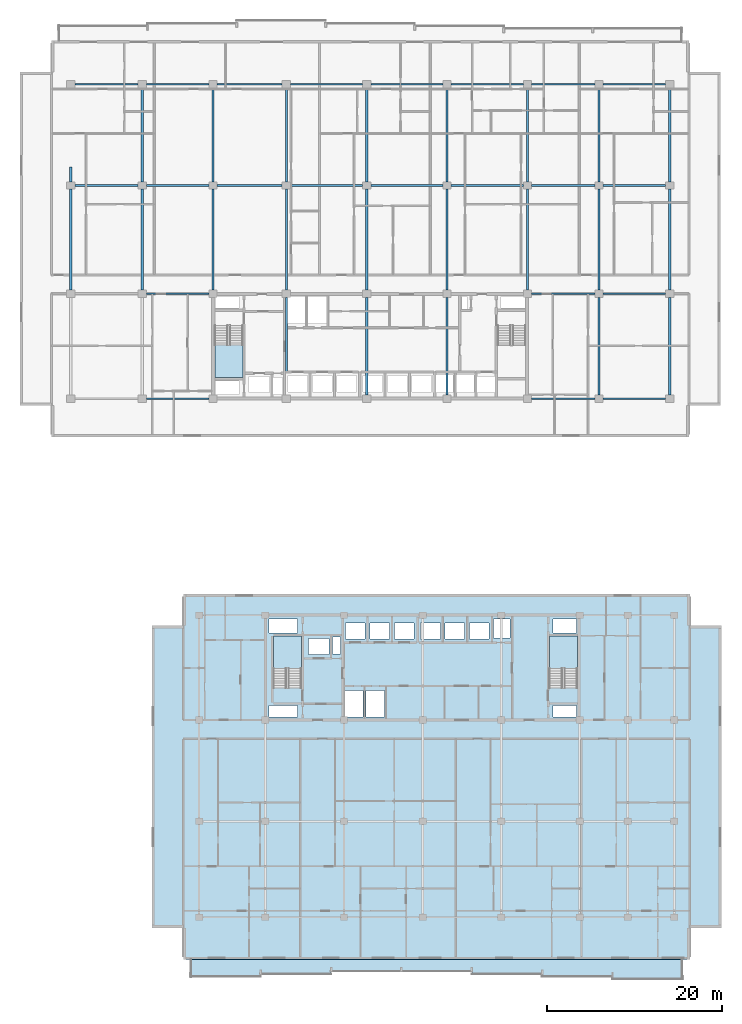
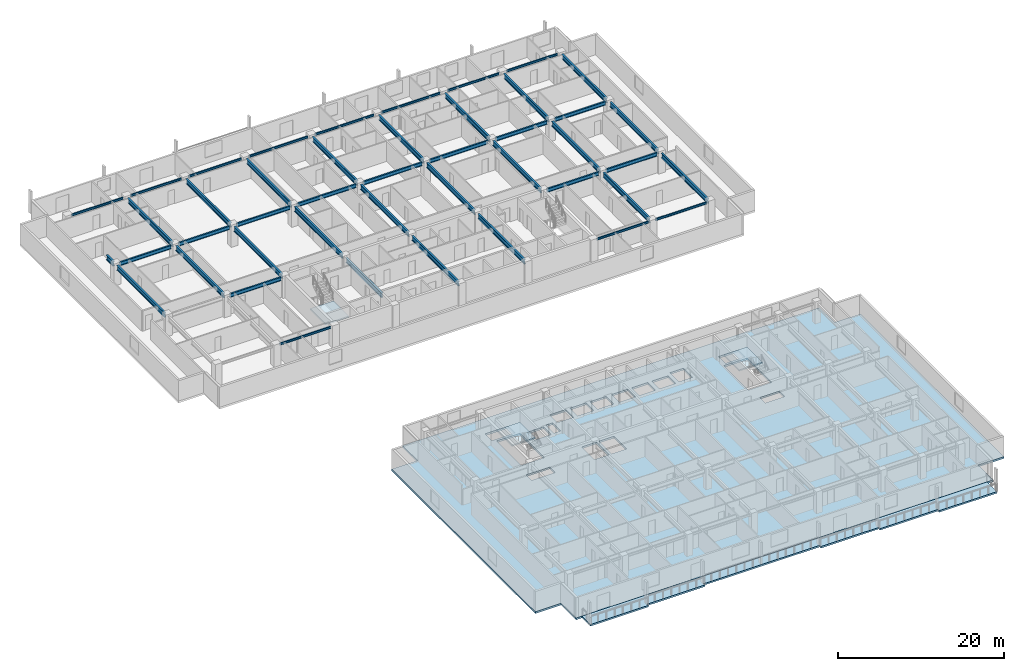
# One storey, part 2 of 22: 45 beams, 5 slabs, 3 elements without a shape of their own.
"""IFC4 building model written with IfcOpenShell, lengths in metres."""

import ifcopenshell
import ifcopenshell.guid

model = None  # the IFC model being written
_history = None  # IfcOwnerHistory: only IFC2X3 demands one
_inside = {}  # id of a spatial element -> (the spatial element, [elements in it])
_under = {}  # id of a project, library or spatial element -> (it, [spatial elements below it])
_declared = {}  # id of a project -> (the project, [libraries it declares])
_typed = {}  # id of a type object -> (the type object, [elements of that type])
_made_of = {}  # id of a material, layer set ... -> (it, [elements and type objects made of it])


def new_model(schema):
    """Start an empty IFC model of exactly this schema.

    Asked for "IFC4X3", IfcOpenShell would pick the latest addendum, in which some entities
    have other attributes; the version numbers below select the first issue.
    IFC2X3 requires an IfcOwnerHistory on every rooted entity: one is made here for all.
    """
    global model, _history
    if schema == "IFC4X3":
        model = ifcopenshell.file(schema_version=(4, 3, 0, 0))
    else:
        model = ifcopenshell.file(schema=schema)
    _inside.clear()
    _under.clear()
    _declared.clear()
    _typed.clear()
    _made_of.clear()
    _history = None
    if model.schema == "IFC2X3":
        org = make("IfcOrganization", Name="unknown")
        user = make(
            "IfcPersonAndOrganization",
            ThePerson=make("IfcPerson", FamilyName="unknown"),
            TheOrganization=org,
        )
        app = make(
            "IfcApplication",
            ApplicationDeveloper=org,
            Version="unknown",
            ApplicationFullName="unknown",
            ApplicationIdentifier="unknown",
        )
        _history = make(
            "IfcOwnerHistory",
            OwningUser=user,
            OwningApplication=app,
            ChangeAction="ADDED",
            CreationDate=0,
        )
    return model


def make(cls, **values):
    """One entity of the class cls with the attributes given. An attribute that is None is left unset."""
    return model.create_entity(
        cls, **{name: value for name, value in values.items() if value is not None}
    )


def rooted(cls, **values):
    """An entity with a GlobalId (a new one), such as an element, a storey or a relation."""
    return make(cls, GlobalId=ifcopenshell.guid.new(), OwnerHistory=_history, **values)


def si_unit(unit_type, name, prefix=None):
    """IfcSIUnit, for example si_unit("LENGTHUNIT", "METRE", prefix="MILLI")."""
    return make("IfcSIUnit", UnitType=unit_type, Prefix=prefix, Name=name)


def assignment(units):
    """IfcUnitAssignment: the units of a project."""
    return None if units is None else make("IfcUnitAssignment", Units=units)


def point(xyz):
    """IfcCartesianPoint."""
    return None if xyz is None else make("IfcCartesianPoint", Coordinates=xyz)


def direction(xyz):
    """IfcDirection."""
    return None if xyz is None else make("IfcDirection", DirectionRatios=xyz)


def frame(location, z_axis=None, x_axis=None):
    """IfcAxis2Placement3D, a coordinate frame: its origin and axes. An axis left out is left unset."""
    return make(
        "IfcAxis2Placement3D",
        Location=point(location),
        Axis=direction(z_axis),
        RefDirection=direction(x_axis),
    )


def frame_2d(location, x_axis=None):
    """IfcAxis2Placement2D, a coordinate frame in the plane: its origin and x axis."""
    return make(
        "IfcAxis2Placement2D", Location=point(location), RefDirection=direction(x_axis)
    )


def origin():
    """The frame at (0, 0, 0) with its axes left unset."""
    return frame((0.0, 0.0, 0.0))


def origin_2d():
    """The frame at (0, 0) in the plane with its x axis left unset."""
    return frame_2d((0.0, 0.0))


def place(relative_to, where):
    """IfcLocalPlacement: puts the frame where relative to a parent placement (None: the world)."""
    return make(
        "IfcLocalPlacement", PlacementRelTo=relative_to, RelativePlacement=where
    )


def context(
    kind, dimensions, precision=None, world=None, true_north=None, identifier=None
):
    """IfcGeometricRepresentationContext, for example the 3D "Model" context."""
    return make(
        "IfcGeometricRepresentationContext",
        ContextIdentifier=identifier,
        ContextType=kind,
        CoordinateSpaceDimension=dimensions,
        Precision=precision,
        WorldCoordinateSystem=world,
        TrueNorth=true_north,
    )


def subcontext(parent, identifier, kind, view, scale=None):
    """IfcGeometricRepresentationSubContext, for example "Body" below "Model"."""
    return make(
        "IfcGeometricRepresentationSubContext",
        ContextIdentifier=identifier,
        ContextType=kind,
        ParentContext=parent,
        TargetScale=scale,
        TargetView=view,
    )


def project(units=None, contexts=None):
    """IfcProject with its units and contexts."""
    return rooted(
        "IfcProject",
        Name="project",
        RepresentationContexts=contexts,
        UnitsInContext=assignment(units),
    )


def spatial(cls, under=None, at=None, **own):
    """A site, building, storey or space (cls), placed at a placement, below another one or the project."""
    s = rooted(cls, ObjectPlacement=at, **own)
    if under is not None:
        _under.setdefault(under.id(), (under, []))[1].append(s)
    return s


def polyline(points):
    """IfcPolyline through the points."""
    return make("IfcPolyline", Points=[point(p) for p in points])


def profile(cls, at=None, kind="AREA", **sizes):
    """A parametric profile (cls). Its sizes go by their IFC names, for example OverallWidth=200.0."""
    return make(cls, ProfileType=kind, Position=at, **sizes)


def i_section(**sizes):
    """IfcIShapeProfileDef."""
    return profile("IfcIShapeProfileDef", **sizes)


def outline(outer, holes=None, kind="AREA"):
    """IfcArbitraryClosedProfileDef: a profile drawn as a closed curve; with holes, ...WithVoids."""
    if holes is None:
        return make("IfcArbitraryClosedProfileDef", ProfileType=kind, OuterCurve=outer)
    return make(
        "IfcArbitraryProfileDefWithVoids",
        ProfileType=kind,
        OuterCurve=outer,
        InnerCurves=holes,
    )


def extrude(swept, where, along, depth):
    """IfcExtrudedAreaSolid: the profile swept, set in the frame where, extruded along a direction by depth."""
    return make(
        "IfcExtrudedAreaSolid",
        SweptArea=swept,
        Position=where,
        ExtrudedDirection=direction(along),
        Depth=depth,
    )


def shape(context_of_items, identifier, shape_type, items):
    """IfcShapeRepresentation: the items that make up one representation, for example the "Body"."""
    return make(
        "IfcShapeRepresentation",
        ContextOfItems=context_of_items,
        RepresentationIdentifier=identifier,
        RepresentationType=shape_type,
        Items=items,
    )


def material(Name=None, Category=None):
    """IfcMaterial."""
    return make("IfcMaterial", Name=Name, Category=Category)


def layer(
    of_material, thickness, ventilated=None, Name=None, Category=None, Priority=None
):
    """IfcMaterialLayer: one layer of a wall or slab, of a material (None: an air gap)."""
    return make(
        "IfcMaterialLayer",
        Material=of_material,
        LayerThickness=thickness,
        IsVentilated=ventilated,
        Name=Name,
        Category=Category,
        Priority=Priority,
    )


def layer_set(layers, Name=None):
    """IfcMaterialLayerSet."""
    return make("IfcMaterialLayerSet", MaterialLayers=layers, LayerSetName=Name)


def material_profile(
    of_material, cross_section, Name=None, Category=None, Priority=None
):
    """IfcMaterialProfile: a cross section and its material."""
    return make(
        "IfcMaterialProfile",
        Name=Name,
        Material=of_material,
        Profile=cross_section,
        Priority=Priority,
        Category=Category,
    )


def profile_set(profiles, Name=None, composite=None):
    """IfcMaterialProfileSet."""
    return make(
        "IfcMaterialProfileSet",
        Name=Name,
        MaterialProfiles=profiles,
        CompositeProfile=composite,
    )


def made_of(thing, what):
    """Note that an element or type object is made of a material, layer set ...; save() writes the relation."""
    if what is not None:
        _made_of.setdefault(what.id(), (what, []))[1].append(thing)
    return thing


def type_object(cls, material=None, **own):
    """A type object (cls), such as IfcWallType, which elements share."""
    return made_of(rooted(cls, **own), material)


def element(
    cls,
    number,
    at=None,
    inside=None,
    cuts=None,
    type_object=None,
    material=None,
    context=None,
    identifier="Body",
    shape_type=None,
    held_by="IfcProductDefinitionShape",
    body=None,
    shapes=None,
    **own,
):
    """One element of the class cls, such as IfcWall. Its Tag is "e" and its number.

    at: its placement. inside: the storey or other place that contains it. cuts: it is an
    opening in that element (IfcRelVoidsElement). A single representation is given by context,
    identifier, shape_type and body (its items); several are given by shapes. held_by: the class
    of the entity that holds the representations. save() writes the other relations.
    """
    e = rooted(cls, Tag="e%d" % number, ObjectPlacement=at, **own)
    if body is not None:
        shapes = [shape(context, identifier, shape_type, body)]
    if shapes is not None:
        e.Representation = make(held_by, Representations=shapes)
    if inside is not None:
        _inside.setdefault(inside.id(), (inside, []))[1].append(e)
    if cuts is not None:
        rooted(
            "IfcRelVoidsElement", RelatingBuildingElement=cuts, RelatedOpeningElement=e
        )
    if type_object is not None:
        _typed.setdefault(type_object.id(), (type_object, []))[1].append(e)
    return made_of(e, material)


def aggregate(whole, parts):
    """IfcRelAggregates: a whole, such as a stair, and the parts it consists of."""
    return rooted("IfcRelAggregates", RelatingObject=whole, RelatedObjects=parts)


def save(model, path):
    """Write the relations noted so far, then the file.

    IfcRelAggregates (storeys below a building ...), IfcRelContainedInSpatialStructure (elements
    in a storey), IfcRelDefinesByType, IfcRelAssociatesMaterial and IfcRelDeclares: one each for
    every whole, place, type object, material and project.
    """
    for whole, parts in _under.values():
        aggregate(whole, parts)
    for where, things in _inside.values():
        rooted(
            "IfcRelContainedInSpatialStructure",
            RelatedElements=things,
            RelatingStructure=where,
        )
    for kind, things in _typed.values():
        rooted("IfcRelDefinesByType", RelatedObjects=things, RelatingType=kind)
    for what, things in _made_of.values():
        rooted("IfcRelAssociatesMaterial", RelatedObjects=things, RelatingMaterial=what)
    for by, libraries in _declared.values():
        rooted("IfcRelDeclares", RelatingContext=by, RelatedDefinitions=libraries)
    model.write(path)


model = new_model("IFC4")

# Units and contexts
model_context = context("Model", 3, precision=1e-05, world=origin(), true_north=direction((0.0, 1.0)))
body_context = subcontext(model_context, "Body", "Model", "MODEL_VIEW")
ifc_project = project(units=[si_unit("LENGTHUNIT", "METRE"), si_unit("AREAUNIT", "SQUARE_METRE"), si_unit("VOLUMEUNIT", "CUBIC_METRE"), si_unit("PLANEANGLEUNIT", "RADIAN"), si_unit("MASSUNIT", "GRAM", prefix="KILO")], contexts=[model_context])

# Site, building, storey
site_placement = place(None, origin())
site = spatial("IfcSite", under=ifc_project, at=site_placement, CompositionType="ELEMENT")
building_placement = place(site_placement, origin())
building = spatial("IfcBuilding", under=site, at=building_placement, Name="Korimba Cascade Residences", CompositionType="ELEMENT")
storey_placement = place(building_placement, frame((0.0, 0.0, 84.050048828125)))
storey = spatial("IfcBuildingStorey", under=building, at=storey_placement, Name="L23", CompositionType="ELEMENT", Elevation=84.050048828125)

# Beams
ifc_material_1 = material(Name="Steel S355", Category="steel")
ifc_material_profile_1 = material_profile(ifc_material_1, i_section(OverallWidth=0.165771484375, OverallDepth=0.306640625, WebThickness=0.006591796875, FlangeThickness=0.01171875, FilletRadius=0.0087890625, at=origin_2d()), Name="Steel S355")
ifc_profile_set_1 = profile_set([ifc_material_profile_1], Name="Steel S355")
beam_type_1 = type_object("IfcBeamType", Name="BM-STL-UB305", PredefinedType="SPANDREL", material=ifc_profile_set_1)
beam_1_placement = place(storey_placement, frame((68.47509765625, 55.199951171875, 2.816650390625), z_axis=(1.0, 0.0, 0.0), x_axis=(0.0, 1.0, 0.0)))
element("IfcBeam", 1, at=beam_1_placement, inside=storey, type_object=beam_type_1, Name="L23 T1 E-W Girder Y1 Bay 2", PredefinedType="SPANDREL", context=body_context, shape_type="SweptSolid", body=[
    extrude(i_section(OverallWidth=0.165771484375, OverallDepth=0.306640625, WebThickness=0.006591796875, FlangeThickness=0.01171875, FilletRadius=0.0087890625, at=origin_2d()), origin(), (0.0, 0.0, 1.0), 7.14990234375),
])
beam_2_placement = place(storey_placement, frame((112.574951171875, 55.199951171875, 2.816650390625), z_axis=(1.0, 0.0, 0.0), x_axis=(0.0, 1.0, 0.0)))
element("IfcBeam", 2, at=beam_2_placement, inside=storey, type_object=beam_type_1, Name="L23 T1 E-W Girder Y1 Bay 7", PredefinedType="SPANDREL", context=body_context, shape_type="SweptSolid", body=[
    extrude(i_section(OverallWidth=0.165771484375, OverallDepth=0.306640625, WebThickness=0.006591796875, FlangeThickness=0.01171875, FilletRadius=0.0087890625, at=origin_2d()), origin(), (0.0, 0.0, 1.0), 7.25),
])
beam_3_placement = place(storey_placement, frame((120.77490234375, 55.199951171875, 2.816650390625), z_axis=(1.0, 0.0, 0.0), x_axis=(0.0, 1.0, 0.0)))
element("IfcBeam", 3, at=beam_3_placement, inside=storey, type_object=beam_type_1, Name="L23 T1 E-W Girder Y1 Bay 8", PredefinedType="SPANDREL", context=body_context, shape_type="SweptSolid", body=[
    extrude(i_section(OverallWidth=0.165771484375, OverallDepth=0.306640625, WebThickness=0.006591796875, FlangeThickness=0.01171875, FilletRadius=0.0087890625, at=origin_2d()), origin(), (0.0, 0.0, 1.0), 7.150146484375),
])
beam_4_placement = place(storey_placement, frame((60.27490234375, 91.199951171875, 2.816650390625), z_axis=(1.0, 0.0, 0.0), x_axis=(0.0, 1.0, 0.0)))
element("IfcBeam", 4, at=beam_4_placement, inside=storey, type_object=beam_type_1, Name="L23 T1 E-W Girder Y4 Bay 1", PredefinedType="SPANDREL", context=body_context, shape_type="SweptSolid", body=[
    extrude(i_section(OverallWidth=0.165771484375, OverallDepth=0.306640625, WebThickness=0.006591796875, FlangeThickness=0.01171875, FilletRadius=0.0087890625, at=origin_2d()), origin(), (0.0, 0.0, 1.0), 7.25),
])
beam_5_placement = place(storey_placement, frame((68.47509765625, 91.199951171875, 2.816650390625), z_axis=(1.0, 0.0, 0.0), x_axis=(0.0, 1.0, 0.0)))
element("IfcBeam", 5, at=beam_5_placement, inside=storey, type_object=beam_type_1, Name="L23 T1 E-W Girder Y4 Bay 2", PredefinedType="SPANDREL", context=body_context, shape_type="SweptSolid", body=[
    extrude(i_section(OverallWidth=0.165771484375, OverallDepth=0.306640625, WebThickness=0.006591796875, FlangeThickness=0.01171875, FilletRadius=0.0087890625, at=origin_2d()), origin(), (0.0, 0.0, 1.0), 7.14990234375),
])
beam_6_placement = place(storey_placement, frame((76.574951171875, 91.199951171875, 2.816650390625), z_axis=(1.0, 0.0, 0.0), x_axis=(0.0, 1.0, 0.0)))
element("IfcBeam", 6, at=beam_6_placement, inside=storey, type_object=beam_type_1, Name="L23 T1 E-W Girder Y4 Bay 3", PredefinedType="SPANDREL", context=body_context, shape_type="SweptSolid", body=[
    extrude(i_section(OverallWidth=0.165771484375, OverallDepth=0.306640625, WebThickness=0.006591796875, FlangeThickness=0.01171875, FilletRadius=0.0087890625, at=origin_2d()), origin(), (0.0, 0.0, 1.0), 7.449951171875),
])
for number, where, z_axis, x_axis, name in (
    (7, (84.97509765625, 91.199951171875, 2.816650390625), (1.0, 0.0, 0.0), (0.0, 1.0, 0.0), "L23 T1 E-W Girder Y4 Bay 4"),
    (8, (94.175048828125, 91.199951171875, 2.816650390625), (1.0, 0.0, 0.0), (0.0, 1.0, 0.0), "L23 T1 E-W Girder Y4 Bay 5"),
    (9, (103.375, 91.199951171875, 2.816650390625), (1.0, 0.0, 0.0), (0.0, 1.0, 0.0), "L23 T1 E-W Girder Y4 Bay 6"),
):
    element("IfcBeam", number, at=place(storey_placement, frame(where, z_axis=z_axis, x_axis=x_axis)), inside=storey, type_object=beam_type_1, Name=name, PredefinedType="SPANDREL", context=body_context, shape_type="SweptSolid", body=[
        extrude(i_section(OverallWidth=0.165771484375, OverallDepth=0.306640625, WebThickness=0.006591796875, FlangeThickness=0.01171875, FilletRadius=0.0087890625, at=origin_2d()), origin(), (0.0, 0.0, 1.0), 8.25),
    ])
beam_7_placement = place(storey_placement, frame((112.574951171875, 91.199951171875, 2.816650390625), z_axis=(1.0, 0.0, 0.0), x_axis=(0.0, 1.0, 0.0)))
element("IfcBeam", 10, at=beam_7_placement, inside=storey, type_object=beam_type_1, Name="L23 T1 E-W Girder Y4 Bay 7", PredefinedType="SPANDREL", context=body_context, shape_type="SweptSolid", body=[
    extrude(i_section(OverallWidth=0.165771484375, OverallDepth=0.306640625, WebThickness=0.006591796875, FlangeThickness=0.01171875, FilletRadius=0.0087890625, at=origin_2d()), origin(), (0.0, 0.0, 1.0), 7.25),
])
beam_8_placement = place(storey_placement, frame((120.77490234375, 91.199951171875, 2.816650390625), z_axis=(1.0, 0.0, 0.0), x_axis=(0.0, 1.0, 0.0)))
element("IfcBeam", 11, at=beam_8_placement, inside=storey, type_object=beam_type_1, Name="L23 T1 E-W Girder Y4 Bay 8", PredefinedType="SPANDREL", context=body_context, shape_type="SweptSolid", body=[
    extrude(i_section(OverallWidth=0.165771484375, OverallDepth=0.306640625, WebThickness=0.006591796875, FlangeThickness=0.01171875, FilletRadius=0.0087890625, at=origin_2d()), origin(), (0.0, 0.0, 1.0), 7.150146484375),
])
ifc_material_profile_2 = material_profile(ifc_material_1, i_section(OverallWidth=0.2099609375, OverallDepth=0.53662109375, WebThickness=0.0107421875, FlangeThickness=0.017333984375, FilletRadius=0.0126953125, at=origin_2d()), Name="Steel S355")
ifc_profile_set_2 = profile_set([ifc_material_profile_2], Name="Steel S355")
beam_type_2 = type_object("IfcBeamType", Name="BM-STL-UB533", PredefinedType="BEAM", material=ifc_profile_set_2)
beam_9_placement = place(storey_placement, frame((68.47509765625, 67.199951171875, 2.70166015625), z_axis=(1.0, 0.0, 0.0), x_axis=(0.0, 1.0, 0.0)))
element("IfcBeam", 12, at=beam_9_placement, inside=storey, type_object=beam_type_2, Name="L23 T1 E-W Girder Y2 Bay 2", PredefinedType="BEAM", context=body_context, shape_type="SweptSolid", body=[
    extrude(i_section(OverallWidth=0.2099609375, OverallDepth=0.53662109375, WebThickness=0.0107421875, FlangeThickness=0.017333984375, FilletRadius=0.0126953125, at=origin_2d()), origin(), (0.0, 0.0, 1.0), 7.14990234375),
])
beam_10_placement = place(storey_placement, frame((112.574951171875, 67.199951171875, 2.70166015625), z_axis=(1.0, 0.0, 0.0), x_axis=(0.0, 1.0, 0.0)))
element("IfcBeam", 13, at=beam_10_placement, inside=storey, type_object=beam_type_2, Name="L23 T1 E-W Girder Y2 Bay 7", PredefinedType="BEAM", context=body_context, shape_type="SweptSolid", body=[
    extrude(i_section(OverallWidth=0.2099609375, OverallDepth=0.53662109375, WebThickness=0.0107421875, FlangeThickness=0.017333984375, FilletRadius=0.0126953125, at=origin_2d()), origin(), (0.0, 0.0, 1.0), 7.25),
])
beam_11_placement = place(storey_placement, frame((120.77490234375, 67.199951171875, 2.70166015625), z_axis=(1.0, 0.0, 0.0), x_axis=(0.0, 1.0, 0.0)))
element("IfcBeam", 14, at=beam_11_placement, inside=storey, type_object=beam_type_2, Name="L23 T1 E-W Girder Y2 Bay 8", PredefinedType="BEAM", context=body_context, shape_type="SweptSolid", body=[
    extrude(i_section(OverallWidth=0.2099609375, OverallDepth=0.53662109375, WebThickness=0.0107421875, FlangeThickness=0.017333984375, FilletRadius=0.0126953125, at=origin_2d()), origin(), (0.0, 0.0, 1.0), 7.150146484375),
])
beam_12_placement = place(storey_placement, frame((60.27490234375, 79.60009765625, 2.70166015625), z_axis=(1.0, 0.0, 0.0), x_axis=(0.0, 1.0, 0.0)))
element("IfcBeam", 15, at=beam_12_placement, inside=storey, type_object=beam_type_2, Name="L23 T1 E-W Girder Y3 Bay 1", PredefinedType="BEAM", context=body_context, shape_type="SweptSolid", body=[
    extrude(i_section(OverallWidth=0.2099609375, OverallDepth=0.53662109375, WebThickness=0.0107421875, FlangeThickness=0.017333984375, FilletRadius=0.0126953125, at=origin_2d()), origin(), (0.0, 0.0, 1.0), 7.25),
])
beam_13_placement = place(storey_placement, frame((68.47509765625, 79.60009765625, 2.70166015625), z_axis=(1.0, 0.0, 0.0), x_axis=(0.0, 1.0, 0.0)))
element("IfcBeam", 16, at=beam_13_placement, inside=storey, type_object=beam_type_2, Name="L23 T1 E-W Girder Y3 Bay 2", PredefinedType="BEAM", context=body_context, shape_type="SweptSolid", body=[
    extrude(i_section(OverallWidth=0.2099609375, OverallDepth=0.53662109375, WebThickness=0.0107421875, FlangeThickness=0.017333984375, FilletRadius=0.0126953125, at=origin_2d()), origin(), (0.0, 0.0, 1.0), 7.14990234375),
])
beam_14_placement = place(storey_placement, frame((76.574951171875, 79.60009765625, 2.70166015625), z_axis=(1.0, 0.0, 0.0), x_axis=(0.0, 1.0, 0.0)))
element("IfcBeam", 17, at=beam_14_placement, inside=storey, type_object=beam_type_2, Name="L23 T1 E-W Girder Y3 Bay 3", PredefinedType="BEAM", context=body_context, shape_type="SweptSolid", body=[
    extrude(i_section(OverallWidth=0.2099609375, OverallDepth=0.53662109375, WebThickness=0.0107421875, FlangeThickness=0.017333984375, FilletRadius=0.0126953125, at=origin_2d()), origin(), (0.0, 0.0, 1.0), 7.449951171875),
])
for number, where, z_axis, x_axis, name in (
    (18, (84.97509765625, 79.60009765625, 2.70166015625), (1.0, 0.0, 0.0), (0.0, 1.0, 0.0), "L23 T1 E-W Girder Y3 Bay 4"),
    (19, (94.175048828125, 79.60009765625, 2.70166015625), (1.0, 0.0, 0.0), (0.0, 1.0, 0.0), "L23 T1 E-W Girder Y3 Bay 5"),
    (20, (103.375, 79.60009765625, 2.70166015625), (1.0, 0.0, 0.0), (0.0, 1.0, 0.0), "L23 T1 E-W Girder Y3 Bay 6"),
):
    element("IfcBeam", number, at=place(storey_placement, frame(where, z_axis=z_axis, x_axis=x_axis)), inside=storey, type_object=beam_type_2, Name=name, PredefinedType="BEAM", context=body_context, shape_type="SweptSolid", body=[
        extrude(i_section(OverallWidth=0.2099609375, OverallDepth=0.53662109375, WebThickness=0.0107421875, FlangeThickness=0.017333984375, FilletRadius=0.0126953125, at=origin_2d()), origin(), (0.0, 0.0, 1.0), 8.25),
    ])
beam_15_placement = place(storey_placement, frame((112.574951171875, 79.60009765625, 2.70166015625), z_axis=(1.0, 0.0, 0.0), x_axis=(0.0, 1.0, 0.0)))
element("IfcBeam", 21, at=beam_15_placement, inside=storey, type_object=beam_type_2, Name="L23 T1 E-W Girder Y3 Bay 7", PredefinedType="BEAM", context=body_context, shape_type="SweptSolid", body=[
    extrude(i_section(OverallWidth=0.2099609375, OverallDepth=0.53662109375, WebThickness=0.0107421875, FlangeThickness=0.017333984375, FilletRadius=0.0126953125, at=origin_2d()), origin(), (0.0, 0.0, 1.0), 7.25),
])
beam_16_placement = place(storey_placement, frame((120.77490234375, 79.60009765625, 2.70166015625), z_axis=(1.0, 0.0, 0.0), x_axis=(0.0, 1.0, 0.0)))
element("IfcBeam", 22, at=beam_16_placement, inside=storey, type_object=beam_type_2, Name="L23 T1 E-W Girder Y3 Bay 8", PredefinedType="BEAM", context=body_context, shape_type="SweptSolid", body=[
    extrude(i_section(OverallWidth=0.2099609375, OverallDepth=0.53662109375, WebThickness=0.0107421875, FlangeThickness=0.017333984375, FilletRadius=0.0126953125, at=origin_2d()), origin(), (0.0, 0.0, 1.0), 7.150146484375),
])
ifc_material_profile_3 = material_profile(ifc_material_1, i_section(OverallWidth=0.255859375, OverallDepth=0.69287109375, WebThickness=0.014404296875, FlangeThickness=0.023681640625, FilletRadius=0.01513671875, at=origin_2d()), Name="Steel S355")
ifc_profile_set_3 = profile_set([ifc_material_profile_3], Name="Steel S355")
beam_type_3 = type_object("IfcBeamType", Name="BM-STL-UB686", PredefinedType="BEAM", material=ifc_profile_set_3)
beam_17_placement = place(storey_placement, frame((59.800048828125, 67.625, 2.62353515625), z_axis=(0.0, 1.0, 0.0), x_axis=(-1.0, 0.0, 0.0)))
element("IfcBeam", 23, at=beam_17_placement, inside=storey, type_object=beam_type_3, Name="L23 T1 N-S Girder X1 Seg 2", PredefinedType="BEAM", context=body_context, shape_type="SweptSolid", body=[
    extrude(i_section(OverallWidth=0.255859375, OverallDepth=0.69287109375, WebThickness=0.014404296875, FlangeThickness=0.023681640625, FilletRadius=0.01513671875, at=origin_2d()), origin(), (0.0, 0.0, 1.0), 11.550048828125),
])
beam_18_placement = place(storey_placement, frame((59.800048828125, 80.02490234375, 2.62353515625), z_axis=(0.0, 1.0, 0.0), x_axis=(-1.0, 0.0, 0.0)))
element("IfcBeam", 24, at=beam_18_placement, inside=storey, type_object=beam_type_3, Name="L23 T1 N-S Girder X1 Seg 3", PredefinedType="BEAM", context=body_context, shape_type="SweptSolid", body=[
    extrude(i_section(OverallWidth=0.255859375, OverallDepth=0.69287109375, WebThickness=0.014404296875, FlangeThickness=0.023681640625, FilletRadius=0.01513671875, at=origin_2d()), origin(), (0.0, 0.0, 1.0), 1.675048828125),
])
beam_19_placement = place(storey_placement, frame((68.0, 67.625, 2.62353515625), z_axis=(0.0, 1.0, 0.0), x_axis=(-1.0, 0.0, 0.0)))
element("IfcBeam", 25, at=beam_19_placement, inside=storey, type_object=beam_type_3, Name="L23 T1 N-S Girder X2 Seg 2", PredefinedType="BEAM", context=body_context, shape_type="SweptSolid", body=[
    extrude(i_section(OverallWidth=0.255859375, OverallDepth=0.69287109375, WebThickness=0.014404296875, FlangeThickness=0.023681640625, FilletRadius=0.01513671875, at=origin_2d()), origin(), (0.0, 0.0, 1.0), 11.550048828125),
])
beam_20_placement = place(storey_placement, frame((68.0, 80.02490234375, 2.62353515625), z_axis=(0.0, 1.0, 0.0), x_axis=(-1.0, 0.0, 0.0)))
element("IfcBeam", 26, at=beam_20_placement, inside=storey, type_object=beam_type_3, Name="L23 T1 N-S Girder X2 Seg 3", PredefinedType="BEAM", context=body_context, shape_type="SweptSolid", body=[
    extrude(i_section(OverallWidth=0.255859375, OverallDepth=0.69287109375, WebThickness=0.014404296875, FlangeThickness=0.023681640625, FilletRadius=0.01513671875, at=origin_2d()), origin(), (0.0, 0.0, 1.0), 10.75),
])
beam_21_placement = place(storey_placement, frame((76.10009765625, 67.625, 2.62353515625), z_axis=(0.0, 1.0, 0.0), x_axis=(-1.0, 0.0, 0.0)))
element("IfcBeam", 27, at=beam_21_placement, inside=storey, type_object=beam_type_3, Name="L23 T1 N-S Girder X3 Seg 2", PredefinedType="BEAM", context=body_context, shape_type="SweptSolid", body=[
    extrude(i_section(OverallWidth=0.255859375, OverallDepth=0.69287109375, WebThickness=0.014404296875, FlangeThickness=0.023681640625, FilletRadius=0.01513671875, at=origin_2d()), origin(), (0.0, 0.0, 1.0), 11.550048828125),
])
beam_22_placement = place(storey_placement, frame((76.10009765625, 80.02490234375, 2.62353515625), z_axis=(0.0, 1.0, 0.0), x_axis=(-1.0, 0.0, 0.0)))
element("IfcBeam", 28, at=beam_22_placement, inside=storey, type_object=beam_type_3, Name="L23 T1 N-S Girder X3 Seg 3", PredefinedType="BEAM", context=body_context, shape_type="SweptSolid", body=[
    extrude(i_section(OverallWidth=0.255859375, OverallDepth=0.69287109375, WebThickness=0.014404296875, FlangeThickness=0.023681640625, FilletRadius=0.01513671875, at=origin_2d()), origin(), (0.0, 0.0, 1.0), 10.75),
])
beam_23_placement = place(storey_placement, frame((84.5, 58.159912109375, 2.62353515625), z_axis=(0.0, 1.0, 0.0), x_axis=(-1.0, 0.0, 0.0)))
element("IfcBeam", 29, at=beam_23_placement, inside=storey, type_object=beam_type_3, Name="L23 T1 N-S Girder X4 Seg 1", PredefinedType="BEAM", context=body_context, shape_type="SweptSolid", body=[
    extrude(i_section(OverallWidth=0.255859375, OverallDepth=0.69287109375, WebThickness=0.014404296875, FlangeThickness=0.023681640625, FilletRadius=0.01513671875, at=origin_2d()), origin(), (0.0, 0.0, 1.0), 8.614990234375),
])
beam_24_placement = place(storey_placement, frame((84.5, 67.625, 2.62353515625), z_axis=(0.0, 1.0, 0.0), x_axis=(-1.0, 0.0, 0.0)))
element("IfcBeam", 30, at=beam_24_placement, inside=storey, type_object=beam_type_3, Name="L23 T1 N-S Girder X4 Seg 2", PredefinedType="BEAM", context=body_context, shape_type="SweptSolid", body=[
    extrude(i_section(OverallWidth=0.255859375, OverallDepth=0.69287109375, WebThickness=0.014404296875, FlangeThickness=0.023681640625, FilletRadius=0.01513671875, at=origin_2d()), origin(), (0.0, 0.0, 1.0), 11.550048828125),
])
beam_25_placement = place(storey_placement, frame((84.5, 80.02490234375, 2.62353515625), z_axis=(0.0, 1.0, 0.0), x_axis=(-1.0, 0.0, 0.0)))
element("IfcBeam", 31, at=beam_25_placement, inside=storey, type_object=beam_type_3, Name="L23 T1 N-S Girder X4 Seg 3", PredefinedType="BEAM", context=body_context, shape_type="SweptSolid", body=[
    extrude(i_section(OverallWidth=0.255859375, OverallDepth=0.69287109375, WebThickness=0.014404296875, FlangeThickness=0.023681640625, FilletRadius=0.01513671875, at=origin_2d()), origin(), (0.0, 0.0, 1.0), 10.75),
])
beam_26_placement = place(storey_placement, frame((93.699951171875, 55.625, 2.62353515625), z_axis=(0.0, 1.0, 0.0), x_axis=(-1.0, 0.0, 0.0)))
element("IfcBeam", 32, at=beam_26_placement, inside=storey, type_object=beam_type_3, Name="L23 T1 N-S Girder X5 Seg 1", PredefinedType="BEAM", context=body_context, shape_type="SweptSolid", body=[
    extrude(i_section(OverallWidth=0.255859375, OverallDepth=0.69287109375, WebThickness=0.014404296875, FlangeThickness=0.023681640625, FilletRadius=0.01513671875, at=origin_2d()), origin(), (0.0, 0.0, 1.0), 11.14990234375),
])
beam_27_placement = place(storey_placement, frame((93.699951171875, 67.625, 2.62353515625), z_axis=(0.0, 1.0, 0.0), x_axis=(-1.0, 0.0, 0.0)))
element("IfcBeam", 33, at=beam_27_placement, inside=storey, type_object=beam_type_3, Name="L23 T1 N-S Girder X5 Seg 2", PredefinedType="BEAM", context=body_context, shape_type="SweptSolid", body=[
    extrude(i_section(OverallWidth=0.255859375, OverallDepth=0.69287109375, WebThickness=0.014404296875, FlangeThickness=0.023681640625, FilletRadius=0.01513671875, at=origin_2d()), origin(), (0.0, 0.0, 1.0), 11.550048828125),
])
beam_28_placement = place(storey_placement, frame((93.699951171875, 80.02490234375, 2.62353515625), z_axis=(0.0, 1.0, 0.0), x_axis=(-1.0, 0.0, 0.0)))
element("IfcBeam", 34, at=beam_28_placement, inside=storey, type_object=beam_type_3, Name="L23 T1 N-S Girder X5 Seg 3", PredefinedType="BEAM", context=body_context, shape_type="SweptSolid", body=[
    extrude(i_section(OverallWidth=0.255859375, OverallDepth=0.69287109375, WebThickness=0.014404296875, FlangeThickness=0.023681640625, FilletRadius=0.01513671875, at=origin_2d()), origin(), (0.0, 0.0, 1.0), 10.75),
])
beam_29_placement = place(storey_placement, frame((102.89990234375, 55.625, 2.62353515625), z_axis=(0.0, 1.0, 0.0), x_axis=(-1.0, 0.0, 0.0)))
element("IfcBeam", 35, at=beam_29_placement, inside=storey, type_object=beam_type_3, Name="L23 T1 N-S Girder X6 Seg 1", PredefinedType="BEAM", context=body_context, shape_type="SweptSolid", body=[
    extrude(i_section(OverallWidth=0.255859375, OverallDepth=0.69287109375, WebThickness=0.014404296875, FlangeThickness=0.023681640625, FilletRadius=0.01513671875, at=origin_2d()), origin(), (0.0, 0.0, 1.0), 11.14990234375),
])
beam_30_placement = place(storey_placement, frame((102.89990234375, 67.625, 2.62353515625), z_axis=(0.0, 1.0, 0.0), x_axis=(-1.0, 0.0, 0.0)))
element("IfcBeam", 36, at=beam_30_placement, inside=storey, type_object=beam_type_3, Name="L23 T1 N-S Girder X6 Seg 2", PredefinedType="BEAM", context=body_context, shape_type="SweptSolid", body=[
    extrude(i_section(OverallWidth=0.255859375, OverallDepth=0.69287109375, WebThickness=0.014404296875, FlangeThickness=0.023681640625, FilletRadius=0.01513671875, at=origin_2d()), origin(), (0.0, 0.0, 1.0), 11.550048828125),
])
beam_31_placement = place(storey_placement, frame((102.89990234375, 80.02490234375, 2.62353515625), z_axis=(0.0, 1.0, 0.0), x_axis=(-1.0, 0.0, 0.0)))
element("IfcBeam", 37, at=beam_31_placement, inside=storey, type_object=beam_type_3, Name="L23 T1 N-S Girder X6 Seg 3", PredefinedType="BEAM", context=body_context, shape_type="SweptSolid", body=[
    extrude(i_section(OverallWidth=0.255859375, OverallDepth=0.69287109375, WebThickness=0.014404296875, FlangeThickness=0.023681640625, FilletRadius=0.01513671875, at=origin_2d()), origin(), (0.0, 0.0, 1.0), 10.75),
])
beam_32_placement = place(storey_placement, frame((112.10009765625, 67.625, 2.62353515625), z_axis=(0.0, 1.0, 0.0), x_axis=(-1.0, 0.0, 0.0)))
element("IfcBeam", 38, at=beam_32_placement, inside=storey, type_object=beam_type_3, Name="L23 T1 N-S Girder X7 Seg 2", PredefinedType="BEAM", context=body_context, shape_type="SweptSolid", body=[
    extrude(i_section(OverallWidth=0.255859375, OverallDepth=0.69287109375, WebThickness=0.014404296875, FlangeThickness=0.023681640625, FilletRadius=0.01513671875, at=origin_2d()), origin(), (0.0, 0.0, 1.0), 11.550048828125),
])
beam_33_placement = place(storey_placement, frame((112.10009765625, 80.02490234375, 2.62353515625), z_axis=(0.0, 1.0, 0.0), x_axis=(-1.0, 0.0, 0.0)))
element("IfcBeam", 39, at=beam_33_placement, inside=storey, type_object=beam_type_3, Name="L23 T1 N-S Girder X7 Seg 3", PredefinedType="BEAM", context=body_context, shape_type="SweptSolid", body=[
    extrude(i_section(OverallWidth=0.255859375, OverallDepth=0.69287109375, WebThickness=0.014404296875, FlangeThickness=0.023681640625, FilletRadius=0.01513671875, at=origin_2d()), origin(), (0.0, 0.0, 1.0), 10.75),
])
beam_34_placement = place(storey_placement, frame((120.300048828125, 55.625, 2.62353515625), z_axis=(0.0, 1.0, 0.0), x_axis=(-1.0, 0.0, 0.0)))
element("IfcBeam", 40, at=beam_34_placement, inside=storey, type_object=beam_type_3, Name="L23 T1 N-S Girder X8 Seg 1", PredefinedType="BEAM", context=body_context, shape_type="SweptSolid", body=[
    extrude(i_section(OverallWidth=0.255859375, OverallDepth=0.69287109375, WebThickness=0.014404296875, FlangeThickness=0.023681640625, FilletRadius=0.01513671875, at=origin_2d()), origin(), (0.0, 0.0, 1.0), 11.14990234375),
])
beam_35_placement = place(storey_placement, frame((120.300048828125, 67.625, 2.62353515625), z_axis=(0.0, 1.0, 0.0), x_axis=(-1.0, 0.0, 0.0)))
element("IfcBeam", 41, at=beam_35_placement, inside=storey, type_object=beam_type_3, Name="L23 T1 N-S Girder X8 Seg 2", PredefinedType="BEAM", context=body_context, shape_type="SweptSolid", body=[
    extrude(i_section(OverallWidth=0.255859375, OverallDepth=0.69287109375, WebThickness=0.014404296875, FlangeThickness=0.023681640625, FilletRadius=0.01513671875, at=origin_2d()), origin(), (0.0, 0.0, 1.0), 11.550048828125),
])
beam_36_placement = place(storey_placement, frame((120.300048828125, 80.02490234375, 2.62353515625), z_axis=(0.0, 1.0, 0.0), x_axis=(-1.0, 0.0, 0.0)))
element("IfcBeam", 42, at=beam_36_placement, inside=storey, type_object=beam_type_3, Name="L23 T1 N-S Girder X8 Seg 3", PredefinedType="BEAM", context=body_context, shape_type="SweptSolid", body=[
    extrude(i_section(OverallWidth=0.255859375, OverallDepth=0.69287109375, WebThickness=0.014404296875, FlangeThickness=0.023681640625, FilletRadius=0.01513671875, at=origin_2d()), origin(), (0.0, 0.0, 1.0), 10.75),
])
beam_37_placement = place(storey_placement, frame((128.39990234375, 55.625, 2.62353515625), z_axis=(0.0, 1.0, 0.0), x_axis=(-1.0, 0.0, 0.0)))
element("IfcBeam", 43, at=beam_37_placement, inside=storey, type_object=beam_type_3, Name="L23 T1 N-S Girder X9 Seg 1", PredefinedType="BEAM", context=body_context, shape_type="SweptSolid", body=[
    extrude(i_section(OverallWidth=0.255859375, OverallDepth=0.69287109375, WebThickness=0.014404296875, FlangeThickness=0.023681640625, FilletRadius=0.01513671875, at=origin_2d()), origin(), (0.0, 0.0, 1.0), 11.14990234375),
])
beam_38_placement = place(storey_placement, frame((128.39990234375, 67.625, 2.62353515625), z_axis=(0.0, 1.0, 0.0), x_axis=(-1.0, 0.0, 0.0)))
element("IfcBeam", 44, at=beam_38_placement, inside=storey, type_object=beam_type_3, Name="L23 T1 N-S Girder X9 Seg 2", PredefinedType="BEAM", context=body_context, shape_type="SweptSolid", body=[
    extrude(i_section(OverallWidth=0.255859375, OverallDepth=0.69287109375, WebThickness=0.014404296875, FlangeThickness=0.023681640625, FilletRadius=0.01513671875, at=origin_2d()), origin(), (0.0, 0.0, 1.0), 11.550048828125),
])
beam_39_placement = place(storey_placement, frame((128.39990234375, 80.02490234375, 2.62353515625), z_axis=(0.0, 1.0, 0.0), x_axis=(-1.0, 0.0, 0.0)))
element("IfcBeam", 45, at=beam_39_placement, inside=storey, type_object=beam_type_3, Name="L23 T1 N-S Girder X9 Seg 3", PredefinedType="BEAM", context=body_context, shape_type="SweptSolid", body=[
    extrude(i_section(OverallWidth=0.255859375, OverallDepth=0.69287109375, WebThickness=0.014404296875, FlangeThickness=0.023681640625, FilletRadius=0.01513671875, at=origin_2d()), origin(), (0.0, 0.0, 1.0), 10.75),
])

# Stair, slab
ifc_material_2 = material(Name="Concrete C50/60", Category="concrete")
stair_type_1 = type_object("IfcStairType", Name="STR-W1-18R-1806", PredefinedType="HALF_TURN_STAIR", material=ifc_material_2)
stair_1_placement = place(storey_placement, origin())
stair_1 = element("IfcStair", 46, at=stair_1_placement, inside=storey, type_object=stair_type_1, Name="L23 Tower 1 West Fire Stair ST-W1", PredefinedType="HALF_TURN_STAIR")
ifc_layer_1 = layer(ifc_material_2, 0.199951171875)
ifc_layer_set_1 = layer_set([ifc_layer_1], Name="Concrete C50/60")
slab_type_1 = type_object("IfcSlabType", Name="SLB-LND-220", PredefinedType="LANDING", material=ifc_layer_set_1)
slab_1_placement = place(storey_placement, frame((0.0, 0.0, 1.425048828125)))
slab_1 = element("IfcSlab", 47, at=slab_1_placement, type_object=slab_type_1, Name="ST-W1 landing 1", PredefinedType="LANDING", context=body_context, shape_type="SweptSolid", body=[
    extrude(outline(polyline([(76.300048828125, 61.31005859375), (76.300048828125, 57.60009765625), (79.5400390625, 57.60009765625), (79.5400390625, 61.31005859375), (76.300048828125, 61.31005859375)])), origin(), (0.0, 0.0, 1.0), 0.199951171875),
])
aggregate(stair_1, [slab_1])

stair_type_2 = type_object("IfcStairType", Name="STR-E1-18R-1806", PredefinedType="HALF_TURN_STAIR", material=ifc_material_2)
stair_2_placement = place(storey_placement, origin())
stair_2 = element("IfcStair", 48, at=stair_2_placement, inside=storey, type_object=stair_type_2, Name="L23 Tower 2 West Fire Stair ST-E1", PredefinedType="HALF_TURN_STAIR")
slab_2_placement = place(storey_placement, frame((0.0, 0.0, 1.425048828125)))
slab_2 = element("IfcSlab", 49, at=slab_2_placement, type_object=slab_type_1, Name="ST-E1 landing 1", PredefinedType="LANDING", context=body_context, shape_type="SweptSolid", body=[
    extrude(outline(polyline([(86.239990234375, 24.2900390625), (86.239990234375, 28.0), (83.0, 28.0), (83.0, 24.2900390625), (86.239990234375, 24.2900390625)])), origin(), (0.0, 0.0, 1.0), 0.199951171875),
])
aggregate(stair_2, [slab_2])

stair_type_3 = type_object("IfcStairType", Name="STR-E2-18R-1806", PredefinedType="HALF_TURN_STAIR", material=ifc_material_2)
stair_3_placement = place(storey_placement, origin())
stair_3 = element("IfcStair", 50, at=stair_3_placement, inside=storey, type_object=stair_type_3, Name="L23 Tower 2 East Fire Stair ST-E2", PredefinedType="HALF_TURN_STAIR")
slab_3_placement = place(storey_placement, frame((0.0, 0.0, 1.425048828125)))
slab_3 = element("IfcSlab", 51, at=slab_3_placement, type_object=slab_type_1, Name="ST-E2 landing 1", PredefinedType="LANDING", context=body_context, shape_type="SweptSolid", body=[
    extrude(outline(polyline([(117.840087890625, 24.2900390625), (117.840087890625, 28.0), (114.60009765625, 28.0), (114.60009765625, 24.2900390625), (117.840087890625, 24.2900390625)])), origin(), (0.0, 0.0, 1.0), 0.199951171875),
])
aggregate(stair_3, [slab_3])

# Slabs
ifc_material_3 = material(Name="Precast concrete C40/50", Category="concrete")
ifc_layer_2 = layer(ifc_material_3, 0.239990234375)
ifc_layer_set_2 = layer_set([ifc_layer_2], Name="Precast concrete C40/50")
slab_type_2 = type_object("IfcSlabType", Name="SLB-LOG-240", PredefinedType="FLOOR", material=ifc_layer_set_2)
slab_4_placement = place(storey_placement, frame((0.0, 0.0, -0.239990234375)))
element("IfcSlab", 52, at=slab_4_placement, inside=storey, type_object=slab_type_2, Name="L23 Tower 2 South Loggia Slab", PredefinedType="FLOOR", context=body_context, shape_type="SweptSolid", body=[
    extrude(outline(polyline([(73.5, -11.050048828125), (81.55712890625, -11.050048828125), (81.55712890625, -10.75), (89.6142578125, -10.75), (89.6142578125, -10.449951171875), (105.728515625, -10.449951171875), (105.728515625, -10.75), (113.78564453125, -10.75), (113.78564453125, -11.050048828125), (121.843017578125, -11.050048828125), (121.843017578125, -11.35009765625), (129.89990234375, -11.35009765625), (129.89990234375, -9.0), (73.5, -9.0), (73.5, -11.050048828125)])), origin(), (0.0, 0.0, 1.0), 0.239990234375),
])
ifc_layer_3 = layer(ifc_material_2, 0.280029296875)
ifc_layer_set_3 = layer_set([ifc_layer_3], Name="Concrete C50/60")
slab_type_3 = type_object("IfcSlabType", Name="SLB-TYP-280", PredefinedType="FLOOR", material=ifc_layer_set_3)
slab_5_placement = place(storey_placement, frame((0.0, 0.0, -0.280029296875)))
element("IfcSlab", 53, at=slab_5_placement, inside=storey, type_object=slab_type_3, Name="L23 Tower 2 Floor Slab", PredefinedType="FLOOR", context=body_context, shape_type="SweptSolid", body=[
    extrude(outline(polyline([(72.699951171875, -9.0), (130.699951171875, -9.0), (130.699951171875, -5.39990234375), (134.300048828125, -5.39990234375), (134.300048828125, 29.199951171875), (130.699951171875, 29.199951171875), (130.699951171875, 32.800048828125), (72.699951171875, 32.800048828125), (72.699951171875, 29.199951171875), (69.10009765625, 29.199951171875), (69.10009765625, -5.39990234375), (72.699951171875, -5.39990234375), (72.699951171875, -9.0)]), holes=[polyline([(86.239990234375, 22.0849609375), (86.239990234375, 28.0), (83.0, 28.0), (83.0, 22.0849609375), (86.239990234375, 22.0849609375)]), polyline([(117.840087890625, 22.0849609375), (117.840087890625, 28.0), (114.60009765625, 28.0), (114.60009765625, 22.0849609375), (117.840087890625, 22.0849609375)]), polyline([(87.030029296875, 25.8798828125), (89.3701171875, 25.8798828125), (89.3701171875, 27.719970703125), (87.030029296875, 27.719970703125), (87.030029296875, 25.8798828125)]), polyline([(91.280029296875, 27.679931640625), (93.52001953125, 27.679931640625), (93.52001953125, 29.52001953125), (91.280029296875, 29.52001953125), (91.280029296875, 27.679931640625)]), polyline([(94.080078125, 27.679931640625), (96.320068359375, 27.679931640625), (96.320068359375, 29.52001953125), (94.080078125, 29.52001953125), (94.080078125, 27.679931640625)]), polyline([(96.8798828125, 27.679931640625), (99.1201171875, 27.679931640625), (99.1201171875, 29.52001953125), (96.8798828125, 29.52001953125), (96.8798828125, 27.679931640625)]), polyline([(99.8798828125, 27.679931640625), (102.1201171875, 27.679931640625), (102.1201171875, 29.52001953125), (99.8798828125, 29.52001953125), (99.8798828125, 27.679931640625)]), polyline([(102.679931640625, 27.679931640625), (104.919921875, 27.679931640625), (104.919921875, 29.52001953125), (102.679931640625, 29.52001953125), (102.679931640625, 27.679931640625)]), polyline([(105.47998046875, 27.679931640625), (107.719970703125, 27.679931640625), (107.719970703125, 29.52001953125), (105.47998046875, 29.52001953125), (105.47998046875, 27.679931640625)]), polyline([(89.780029296875, 25.97998046875), (90.719970703125, 25.97998046875), (90.719970703125, 27.919921875), (89.780029296875, 27.919921875), (89.780029296875, 25.97998046875)]), polyline([(82.530029296875, 18.72998046875), (85.800048828125, 18.72998046875), (85.800048828125, 20.0400390625), (82.530029296875, 20.0400390625), (82.530029296875, 18.72998046875)]), polyline([(82.530029296875, 28.360107421875), (85.800048828125, 28.360107421875), (85.800048828125, 29.969970703125), (82.530029296875, 29.969970703125), (82.530029296875, 28.360107421875)]), polyline([(108.22998046875, 27.780029296875), (110.1201171875, 27.780029296875), (110.1201171875, 29.969970703125), (108.22998046875, 29.969970703125), (108.22998046875, 27.780029296875)]), polyline([(91.22998046875, 18.72998046875), (93.27001953125, 18.72998046875), (93.27001953125, 21.780029296875), (91.22998046875, 21.780029296875), (91.22998046875, 18.72998046875)]), polyline([(93.6298828125, 18.72998046875), (95.719970703125, 18.72998046875), (95.719970703125, 21.780029296875), (93.6298828125, 21.780029296875), (93.6298828125, 18.72998046875)]), polyline([(115.02001953125, 18.72998046875), (117.739990234375, 18.72998046875), (117.739990234375, 20.0400390625), (115.02001953125, 20.0400390625), (115.02001953125, 18.72998046875)]), polyline([(115.02001953125, 28.360107421875), (117.739990234375, 28.360107421875), (117.739990234375, 29.969970703125), (115.02001953125, 29.969970703125), (115.02001953125, 28.360107421875)])]), origin(), (0.0, 0.0, 1.0), 0.280029296875),
])

save(model, "model.ifc")
